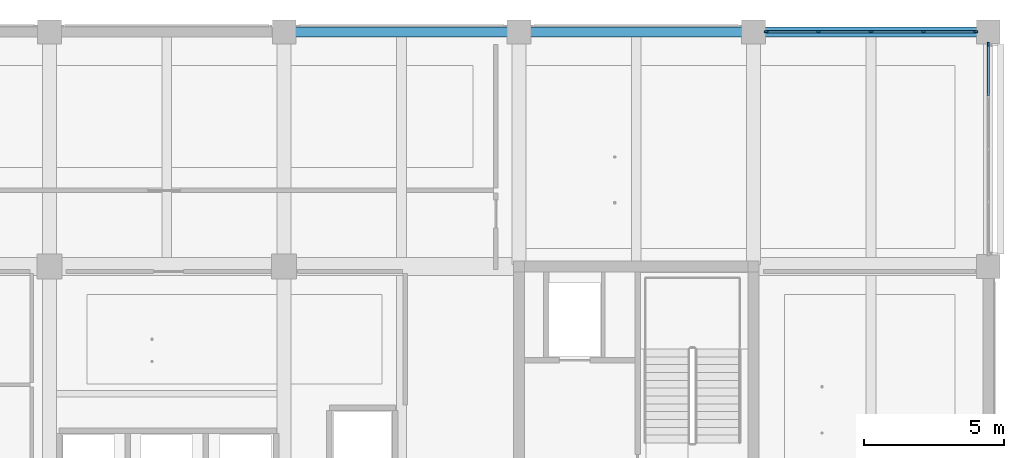
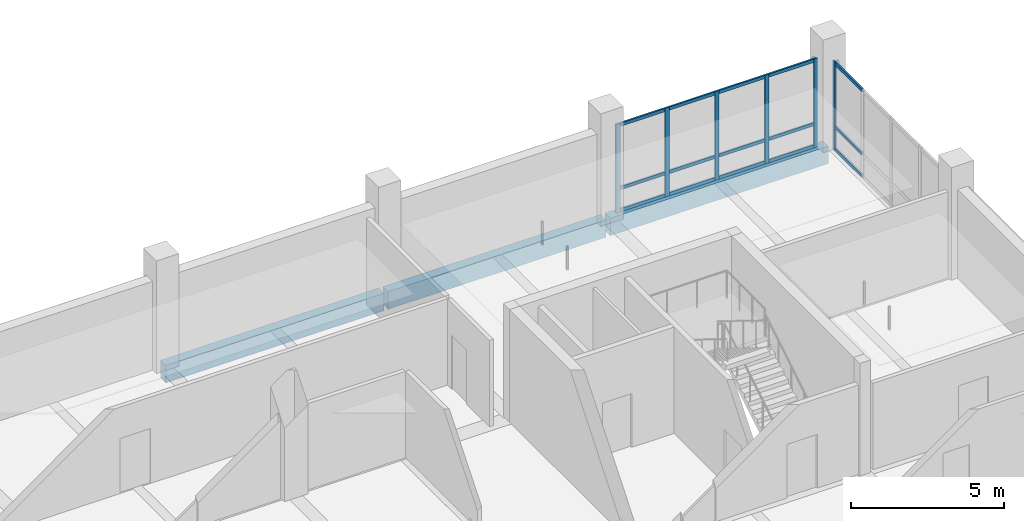
# One storey, part 9 of 36: 21 members, 3 beams, 2 elements without a shape of their own.
"""IFC4 building model written with IfcOpenShell, lengths in metres."""

from ifc_helpers import new_model, si_unit, direction, frame, origin, origin_2d, place, context, subcontext, project, spatial, rectangle, extrude, material, layer, layer_set, material_profile, profile_set, type_object, element, aggregate, save


model = new_model("IFC4")

# Units and contexts
model_context = context("Model", 3, precision=1e-05, world=origin(), true_north=direction((0.0, 1.0)))
body_context = subcontext(model_context, "Body", "Model", "MODEL_VIEW")
ifc_project = project(units=[si_unit("LENGTHUNIT", "METRE"), si_unit("AREAUNIT", "SQUARE_METRE"), si_unit("VOLUMEUNIT", "CUBIC_METRE"), si_unit("PLANEANGLEUNIT", "RADIAN"), si_unit("MASSUNIT", "GRAM", prefix="KILO")], contexts=[model_context])

# Site, building, storey
site_placement = place(None, origin())
site = spatial("IfcSite", under=ifc_project, at=site_placement, CompositionType="ELEMENT")
building_placement = place(site_placement, origin())
building = spatial("IfcBuilding", under=site, at=building_placement, Name="Telukmera Botanical Conservatory", CompositionType="ELEMENT")
storey_placement = place(building_placement, frame((0.0, 0.0, 24.0)))
storey = spatial("IfcBuildingStorey", under=building, at=storey_placement, Name="L05", CompositionType="ELEMENT", Elevation=24.0)

# Beams
ifc_material_1 = material(Name="Precast concrete C40/50", Category="concrete")
ifc_material_profile_1 = material_profile(ifc_material_1, rectangle(XDim=0.35009765625, YDim=0.699951171875, at=origin_2d()), Name="PC 350x700")
ifc_profile_set_1 = profile_set([ifc_material_profile_1], Name="Precast concrete C40/50")
beam_type = type_object("IfcBeamType", Name="Beam_SP2", PredefinedType="SPANDREL", material=ifc_profile_set_1)
for number, where, z_axis, x_axis, name in (
    (1, (84.080078125, 42.800048828125, -0.35009765625), (1.0, 0.0, 0.0), (0.0, 1.0, 0.0), "Tower Grid Beam L05"),
    (2, (92.47998046875, 42.800048828125, -0.35009765625), (1.0, 0.0, 0.0), (0.0, 1.0, 0.0), "Tower Grid Beam L05"),
):
    element("IfcBeam", number, at=place(storey_placement, frame(where, z_axis=z_axis, x_axis=x_axis)), inside=storey, type_object=beam_type, Name=name, PredefinedType="SPANDREL", context=body_context, shape_type="SweptSolid", body=[
        extrude(rectangle(XDim=0.35009765625, YDim=0.699951171875, at=origin_2d()), origin(), (0.0, 0.0, 1.0), 8.239990234375),
    ])
beam_placement = place(storey_placement, frame((100.8798828125, 42.800048828125, -0.35009765625), z_axis=(1.0, 0.0, 0.0), x_axis=(0.0, 1.0, 0.0)))
element("IfcBeam", 3, at=beam_placement, inside=storey, type_object=beam_type, Name="Tower Grid Beam L05", PredefinedType="SPANDREL", context=body_context, shape_type="SweptSolid", body=[
    extrude(rectangle(XDim=0.35009765625, YDim=0.699951171875, at=origin_2d()), origin(), (0.0, 0.0, 1.0), 8.240234375),
])

# Curtain wall, members
ifc_material_2 = material(Name="Anodised aluminium 6063-T6", Category="aluminium")
ifc_layer = layer(ifc_material_2, 0.179931640625)
ifc_layer_set = layer_set([ifc_layer], Name="Anodised aluminium 6063-T6")
curtain_wall_type = type_object("IfcCurtainWallType", Name="Tower Herbarium Curation Corner Curtain Wall", PredefinedType="USERDEFINED", material=ifc_layer_set)
curtain_wall_1_placement = place(storey_placement, origin())
curtain_wall_1 = element("IfcCurtainWall", 4, at=curtain_wall_1_placement, inside=storey, type_object=curtain_wall_type, Name="Unitised Curtain Wall CW14 V4:L05:N7", ObjectType="UNITISED CURTAIN WALL", PredefinedType="USERDEFINED")
ifc_material_profile_2 = material_profile(ifc_material_2, rectangle(XDim=0.06494140625, YDim=0.159912109375, at=origin_2d()), Name="ALU MULL 65x160")
ifc_profile_set_2 = profile_set([ifc_material_profile_2], Name="Anodised aluminium 6063-T6")
member_type_1 = type_object("IfcMemberType", Name="Curtain Wall Extruded Mullion 65x160", PredefinedType="MULLION", material=ifc_profile_set_2)
member_1_placement = place(storey_placement, frame((101.259521484375, 42.800048828125, 0.0), z_axis=(0.0, 0.0, 1.0), x_axis=(0.0, 1.0, 0.0)))
member_1 = element("IfcMember", 5, at=member_1_placement, type_object=member_type_1, Name="CW14 mullion 1", PredefinedType="MULLION", context=body_context, shape_type="SweptSolid", body=[
    extrude(rectangle(XDim=0.06494140625, YDim=0.159912109375, at=origin_2d()), origin(), (0.0, 0.0, 1.0), 3.550048828125),
])
member_2_placement = place(storey_placement, frame((103.113525390625, 42.800048828125, 0.0), z_axis=(0.0, 0.0, 1.0), x_axis=(0.0, 1.0, 0.0)))
member_2 = element("IfcMember", 6, at=member_2_placement, type_object=member_type_1, Name="CW14 mullion 2", PredefinedType="MULLION", context=body_context, shape_type="SweptSolid", body=[
    extrude(rectangle(XDim=0.06494140625, YDim=0.159912109375, at=origin_2d()), origin(), (0.0, 0.0, 1.0), 3.550048828125),
])
member_3_placement = place(storey_placement, frame((105.0, 42.800048828125, 0.0), z_axis=(0.0, 0.0, 1.0), x_axis=(0.0, 1.0, 0.0)))
member_3 = element("IfcMember", 7, at=member_3_placement, type_object=member_type_1, Name="CW14 mullion 3", PredefinedType="MULLION", context=body_context, shape_type="SweptSolid", body=[
    extrude(rectangle(XDim=0.06494140625, YDim=0.159912109375, at=origin_2d()), origin(), (0.0, 0.0, 1.0), 3.550048828125),
])
member_4_placement = place(storey_placement, frame((106.886474609375, 42.800048828125, 0.0), z_axis=(0.0, 0.0, 1.0), x_axis=(0.0, 1.0, 0.0)))
member_4 = element("IfcMember", 8, at=member_4_placement, type_object=member_type_1, Name="CW14 mullion 4", PredefinedType="MULLION", context=body_context, shape_type="SweptSolid", body=[
    extrude(rectangle(XDim=0.06494140625, YDim=0.159912109375, at=origin_2d()), origin(), (0.0, 0.0, 1.0), 3.550048828125),
])
member_5_placement = place(storey_placement, frame((108.740478515625, 42.800048828125, 0.0), z_axis=(0.0, 0.0, 1.0), x_axis=(0.0, 1.0, 0.0)))
member_5 = element("IfcMember", 9, at=member_5_placement, type_object=member_type_1, Name="CW14 mullion 5", PredefinedType="MULLION", context=body_context, shape_type="SweptSolid", body=[
    extrude(rectangle(XDim=0.06494140625, YDim=0.159912109375, at=origin_2d()), origin(), (0.0, 0.0, 1.0), 3.550048828125),
])

# Curtain wall, member
curtain_wall_2_placement = place(storey_placement, origin())
curtain_wall_2 = element("IfcCurtainWall", 10, at=curtain_wall_2_placement, inside=storey, type_object=curtain_wall_type, Name="Unitised Curtain Wall CW14 V4:L05:E4", ObjectType="UNITISED CURTAIN WALL", PredefinedType="USERDEFINED")
member_6_placement = place(storey_placement, frame((109.199951171875, 42.340576171875, 0.0), z_axis=(0.0, 0.0, 1.0), x_axis=(-1.0, 0.0, 0.0)))
member_6 = element("IfcMember", 11, at=member_6_placement, type_object=member_type_1, Name="CW14 mullion 5", PredefinedType="MULLION", context=body_context, shape_type="SweptSolid", body=[
    extrude(rectangle(XDim=0.06494140625, YDim=0.159912109375, at=origin_2d()), origin(), (0.0, 0.0, 1.0), 3.550048828125),
])

# Member
ifc_material_profile_3 = material_profile(ifc_material_2, rectangle(XDim=0.06494140625, YDim=0.1298828125, at=origin_2d()), Name="ALU TRAN 65x130")
ifc_profile_set_3 = profile_set([ifc_material_profile_3], Name="Anodised aluminium 6063-T6")
member_type_2 = type_object("IfcMemberType", Name="Curtain Wall Extruded Transom 65x130", PredefinedType="USERDEFINED", material=ifc_profile_set_3)
member_7_placement = place(storey_placement, frame((101.2919921875, 42.800048828125, 0.06494140625), z_axis=(1.0, 0.0, 0.0), x_axis=(0.0, 1.0, 0.0)))
member_7 = element("IfcMember", 12, at=member_7_placement, type_object=member_type_2, Name="CW14 transom 1.1", ObjectType="TRANSOM", PredefinedType="USERDEFINED", context=body_context, shape_type="SweptSolid", body=[
    extrude(rectangle(XDim=0.06494140625, YDim=0.1298828125, at=origin_2d()), origin(), (0.0, 0.0, 1.0), 1.7890625),
])

member_8_placement = place(storey_placement, frame((101.2919921875, 42.800048828125, 0.949951171875), z_axis=(1.0, 0.0, 0.0), x_axis=(0.0, 1.0, 0.0)))
member_8 = element("IfcMember", 13, at=member_8_placement, type_object=member_type_2, Name="CW14 transom 1.2", ObjectType="TRANSOM", PredefinedType="USERDEFINED", context=body_context, shape_type="SweptSolid", body=[
    extrude(rectangle(XDim=0.06494140625, YDim=0.1298828125, at=origin_2d()), origin(), (0.0, 0.0, 1.0), 1.7890625),
])

member_9_placement = place(storey_placement, frame((101.2919921875, 42.800048828125, 3.485107421875), z_axis=(1.0, 0.0, 0.0), x_axis=(0.0, 1.0, 0.0)))
member_9 = element("IfcMember", 14, at=member_9_placement, type_object=member_type_2, Name="CW14 transom 1.3", ObjectType="TRANSOM", PredefinedType="USERDEFINED", context=body_context, shape_type="SweptSolid", body=[
    extrude(rectangle(XDim=0.06494140625, YDim=0.1298828125, at=origin_2d()), origin(), (0.0, 0.0, 1.0), 1.7890625),
])

member_10_placement = place(storey_placement, frame((103.14599609375, 42.800048828125, 0.06494140625), z_axis=(1.0, 0.0, 0.0), x_axis=(0.0, 1.0, 0.0)))
member_10 = element("IfcMember", 15, at=member_10_placement, type_object=member_type_2, Name="CW14 transom 2.1", ObjectType="TRANSOM", PredefinedType="USERDEFINED", context=body_context, shape_type="SweptSolid", body=[
    extrude(rectangle(XDim=0.06494140625, YDim=0.1298828125, at=origin_2d()), origin(), (0.0, 0.0, 1.0), 1.821533203125),
])

member_11_placement = place(storey_placement, frame((103.14599609375, 42.800048828125, 0.949951171875), z_axis=(1.0, 0.0, 0.0), x_axis=(0.0, 1.0, 0.0)))
member_11 = element("IfcMember", 16, at=member_11_placement, type_object=member_type_2, Name="CW14 transom 2.2", ObjectType="TRANSOM", PredefinedType="USERDEFINED", context=body_context, shape_type="SweptSolid", body=[
    extrude(rectangle(XDim=0.06494140625, YDim=0.1298828125, at=origin_2d()), origin(), (0.0, 0.0, 1.0), 1.821533203125),
])

member_12_placement = place(storey_placement, frame((103.14599609375, 42.800048828125, 3.485107421875), z_axis=(1.0, 0.0, 0.0), x_axis=(0.0, 1.0, 0.0)))
member_12 = element("IfcMember", 17, at=member_12_placement, type_object=member_type_2, Name="CW14 transom 2.3", ObjectType="TRANSOM", PredefinedType="USERDEFINED", context=body_context, shape_type="SweptSolid", body=[
    extrude(rectangle(XDim=0.06494140625, YDim=0.1298828125, at=origin_2d()), origin(), (0.0, 0.0, 1.0), 1.821533203125),
])

member_13_placement = place(storey_placement, frame((105.032470703125, 42.800048828125, 0.06494140625), z_axis=(1.0, 0.0, 0.0), x_axis=(0.0, 1.0, 0.0)))
member_13 = element("IfcMember", 18, at=member_13_placement, type_object=member_type_2, Name="CW14 transom 3.1", ObjectType="TRANSOM", PredefinedType="USERDEFINED", context=body_context, shape_type="SweptSolid", body=[
    extrude(rectangle(XDim=0.06494140625, YDim=0.1298828125, at=origin_2d()), origin(), (0.0, 0.0, 1.0), 1.821533203125),
])

member_14_placement = place(storey_placement, frame((105.032470703125, 42.800048828125, 0.949951171875), z_axis=(1.0, 0.0, 0.0), x_axis=(0.0, 1.0, 0.0)))
member_14 = element("IfcMember", 19, at=member_14_placement, type_object=member_type_2, Name="CW14 transom 3.2", ObjectType="TRANSOM", PredefinedType="USERDEFINED", context=body_context, shape_type="SweptSolid", body=[
    extrude(rectangle(XDim=0.06494140625, YDim=0.1298828125, at=origin_2d()), origin(), (0.0, 0.0, 1.0), 1.821533203125),
])

member_15_placement = place(storey_placement, frame((105.032470703125, 42.800048828125, 3.485107421875), z_axis=(1.0, 0.0, 0.0), x_axis=(0.0, 1.0, 0.0)))
member_15 = element("IfcMember", 20, at=member_15_placement, type_object=member_type_2, Name="CW14 transom 3.3", ObjectType="TRANSOM", PredefinedType="USERDEFINED", context=body_context, shape_type="SweptSolid", body=[
    extrude(rectangle(XDim=0.06494140625, YDim=0.1298828125, at=origin_2d()), origin(), (0.0, 0.0, 1.0), 1.821533203125),
])

member_16_placement = place(storey_placement, frame((106.9189453125, 42.800048828125, 0.06494140625), z_axis=(1.0, 0.0, 0.0), x_axis=(0.0, 1.0, 0.0)))
member_16 = element("IfcMember", 21, at=member_16_placement, type_object=member_type_2, Name="CW14 transom 4.1", ObjectType="TRANSOM", PredefinedType="USERDEFINED", context=body_context, shape_type="SweptSolid", body=[
    extrude(rectangle(XDim=0.06494140625, YDim=0.1298828125, at=origin_2d()), origin(), (0.0, 0.0, 1.0), 1.7890625),
])

member_17_placement = place(storey_placement, frame((106.9189453125, 42.800048828125, 0.949951171875), z_axis=(1.0, 0.0, 0.0), x_axis=(0.0, 1.0, 0.0)))
member_17 = element("IfcMember", 22, at=member_17_placement, type_object=member_type_2, Name="CW14 transom 4.2", ObjectType="TRANSOM", PredefinedType="USERDEFINED", context=body_context, shape_type="SweptSolid", body=[
    extrude(rectangle(XDim=0.06494140625, YDim=0.1298828125, at=origin_2d()), origin(), (0.0, 0.0, 1.0), 1.7890625),
])

member_18_placement = place(storey_placement, frame((106.9189453125, 42.800048828125, 3.485107421875), z_axis=(1.0, 0.0, 0.0), x_axis=(0.0, 1.0, 0.0)))
member_18 = element("IfcMember", 23, at=member_18_placement, type_object=member_type_2, Name="CW14 transom 4.3", ObjectType="TRANSOM", PredefinedType="USERDEFINED", context=body_context, shape_type="SweptSolid", body=[
    extrude(rectangle(XDim=0.06494140625, YDim=0.1298828125, at=origin_2d()), origin(), (0.0, 0.0, 1.0), 1.7890625),
])

aggregate(curtain_wall_1, [member_1, member_2, member_3, member_4, member_5, member_7, member_8, member_9, member_10, member_11, member_12, member_13, member_14, member_15, member_16, member_17, member_18])

member_19_placement = place(storey_placement, frame((109.199951171875, 40.51904296875, 0.06494140625), z_axis=(0.0, 1.0, 0.0), x_axis=(-1.0, 0.0, 0.0)))
member_19 = element("IfcMember", 24, at=member_19_placement, type_object=member_type_2, Name="CW14 transom 4.1", ObjectType="TRANSOM", PredefinedType="USERDEFINED", context=body_context, shape_type="SweptSolid", body=[
    extrude(rectangle(XDim=0.06494140625, YDim=0.1298828125, at=origin_2d()), origin(), (0.0, 0.0, 1.0), 1.7890625),
])

member_20_placement = place(storey_placement, frame((109.199951171875, 40.51904296875, 0.949951171875), z_axis=(0.0, 1.0, 0.0), x_axis=(-1.0, 0.0, 0.0)))
member_20 = element("IfcMember", 25, at=member_20_placement, type_object=member_type_2, Name="CW14 transom 4.2", ObjectType="TRANSOM", PredefinedType="USERDEFINED", context=body_context, shape_type="SweptSolid", body=[
    extrude(rectangle(XDim=0.06494140625, YDim=0.1298828125, at=origin_2d()), origin(), (0.0, 0.0, 1.0), 1.7890625),
])

member_21_placement = place(storey_placement, frame((109.199951171875, 40.51904296875, 3.485107421875), z_axis=(0.0, 1.0, 0.0), x_axis=(-1.0, 0.0, 0.0)))
member_21 = element("IfcMember", 26, at=member_21_placement, type_object=member_type_2, Name="CW14 transom 4.3", ObjectType="TRANSOM", PredefinedType="USERDEFINED", context=body_context, shape_type="SweptSolid", body=[
    extrude(rectangle(XDim=0.06494140625, YDim=0.1298828125, at=origin_2d()), origin(), (0.0, 0.0, 1.0), 1.7890625),
])

aggregate(curtain_wall_2, [member_6, member_19, member_20, member_21])

save(model, "model.ifc")
